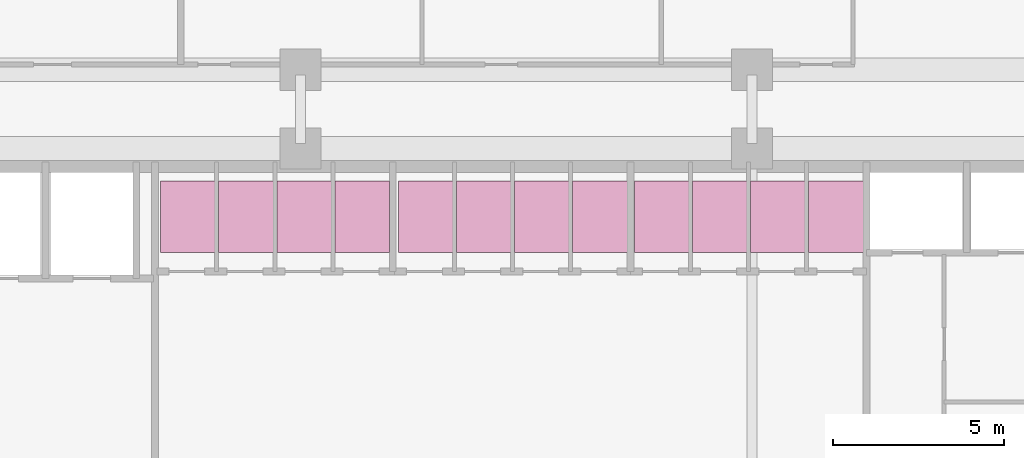
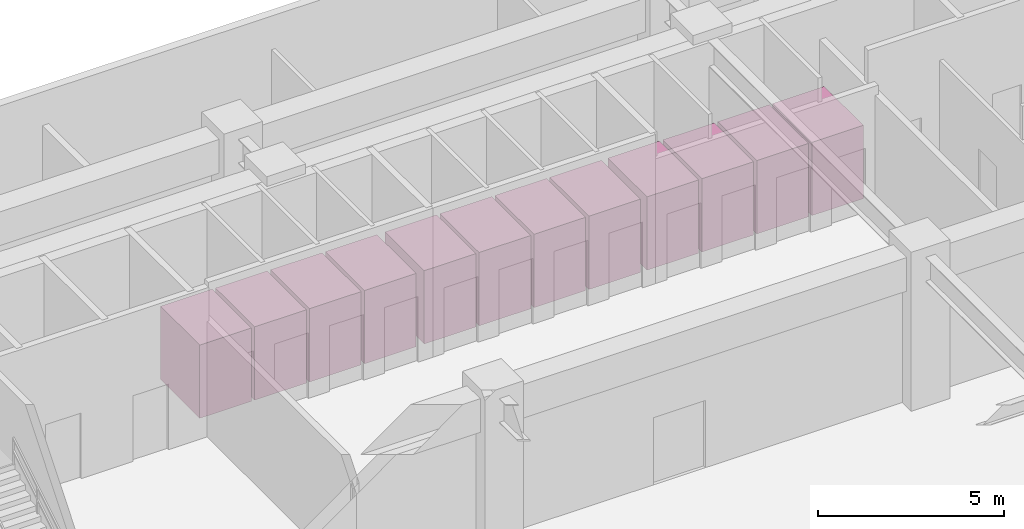
# One storey, part 40 of 40: 12 transport elements.
"""IFC4 building model written with IfcOpenShell, lengths in metres."""

from ifc_helpers import new_model, si_unit, direction, frame, origin, origin_2d, place, context, subcontext, project, spatial, rectangle, extrude, source, transform, mapped, material, type_object, element, save


model = new_model("IFC4")

# Units and contexts
model_context = context("Model", 3, precision=1e-05, world=origin(), true_north=direction((0.0, 1.0)))
body_context = subcontext(model_context, "Body", "Model", "MODEL_VIEW")
ifc_project = project(units=[si_unit("LENGTHUNIT", "METRE"), si_unit("AREAUNIT", "SQUARE_METRE"), si_unit("VOLUMEUNIT", "CUBIC_METRE"), si_unit("PLANEANGLEUNIT", "RADIAN"), si_unit("MASSUNIT", "GRAM", prefix="KILO")], contexts=[model_context])

# Site, building, storey
site_placement = place(None, origin())
site = spatial("IfcSite", under=ifc_project, at=site_placement, CompositionType="ELEMENT")
building_placement = place(site_placement, origin())
building = spatial("IfcBuilding", under=site, at=building_placement, Name="Trelvane Seafront Commons", CompositionType="ELEMENT")
storey_placement = place(building_placement, origin())
storey = spatial("IfcBuildingStorey", under=building, at=storey_placement, Name="L00", CompositionType="ELEMENT", Elevation=0.0)

# Transport elements
ifc_material = material(Name="Stainless steel balustrade", Category="steel")
transport_element_type = type_object("IfcTransportElementType", Name="ARCH-LIFT-PAX", PredefinedType="ELEVATOR", material=ifc_material)
shared_shape = source(origin(), body_context, "Body", "SweptSolid", [
    extrude(rectangle(XDim=1.60009765625, YDim=2.10009765625, at=origin_2d()), origin(), (0.0, 0.0, 1.0), 2.39990234375),
])
for number, where, z_axis, x_axis, name in (
    (1, (27.31005859375, 43.10009765625, 0.0), (0.0, 0.0, 1.0), (1.0, 0.0, 0.0), "Low-Rise Passenger Elevator PL-1"),
    (2, (29.010009765625, 43.10009765625, 0.0), (0.0, 0.0, 1.0), (1.0, 0.0, 0.0), "Low-Rise Passenger Elevator PL-2"),
    (3, (30.7099609375, 43.10009765625, 0.0), (0.0, 0.0, 1.0), (1.0, 0.0, 0.0), "Low-Rise Passenger Elevator PL-3"),
    (4, (32.409912109375, 43.10009765625, 0.0), (0.0, 0.0, 1.0), (1.0, 0.0, 0.0), "Low-Rise Passenger Elevator PL-4"),
    (5, (34.260009765625, 43.10009765625, 0.0), (0.0, 0.0, 1.0), (1.0, 0.0, 0.0), "Mid-Rise Passenger Elevator PM-1"),
    (6, (35.9599609375, 43.10009765625, 0.0), (0.0, 0.0, 1.0), (1.0, 0.0, 0.0), "Mid-Rise Passenger Elevator PM-2"),
    (7, (37.659912109375, 43.10009765625, 0.0), (0.0, 0.0, 1.0), (1.0, 0.0, 0.0), "Mid-Rise Passenger Elevator PM-3"),
    (8, (39.360107421875, 43.10009765625, 0.0), (0.0, 0.0, 1.0), (1.0, 0.0, 0.0), "Mid-Rise Passenger Elevator PM-4"),
    (9, (41.159912109375, 43.10009765625, 0.0), (0.0, 0.0, 1.0), (1.0, 0.0, 0.0), "High-Rise Passenger Elevator PH-1"),
    (10, (42.860107421875, 43.10009765625, 0.0), (0.0, 0.0, 1.0), (1.0, 0.0, 0.0), "High-Rise Passenger Elevator PH-2"),
    (11, (44.56005859375, 43.10009765625, 0.0), (0.0, 0.0, 1.0), (1.0, 0.0, 0.0), "High-Rise Passenger Elevator PH-3"),
    (12, (46.260009765625, 43.10009765625, 0.0), (0.0, 0.0, 1.0), (1.0, 0.0, 0.0), "High-Rise Passenger Elevator PH-4"),
):
    element("IfcTransportElement", number, at=place(storey_placement, frame(where, z_axis=z_axis, x_axis=x_axis)), inside=storey, type_object=transport_element_type, Name=name, PredefinedType="ELEVATOR", context=body_context, shape_type="MappedRepresentation", body=[
        mapped(shared_shape, transform((0.0, 0.0, 0.0), x_axis=(1.0, 0.0, 0.0), y_axis=(0.0, 1.0, 0.0), z_axis=(0.0, 0.0, 1.0), scale=1.0)),
    ])

save(model, "model.ifc")
